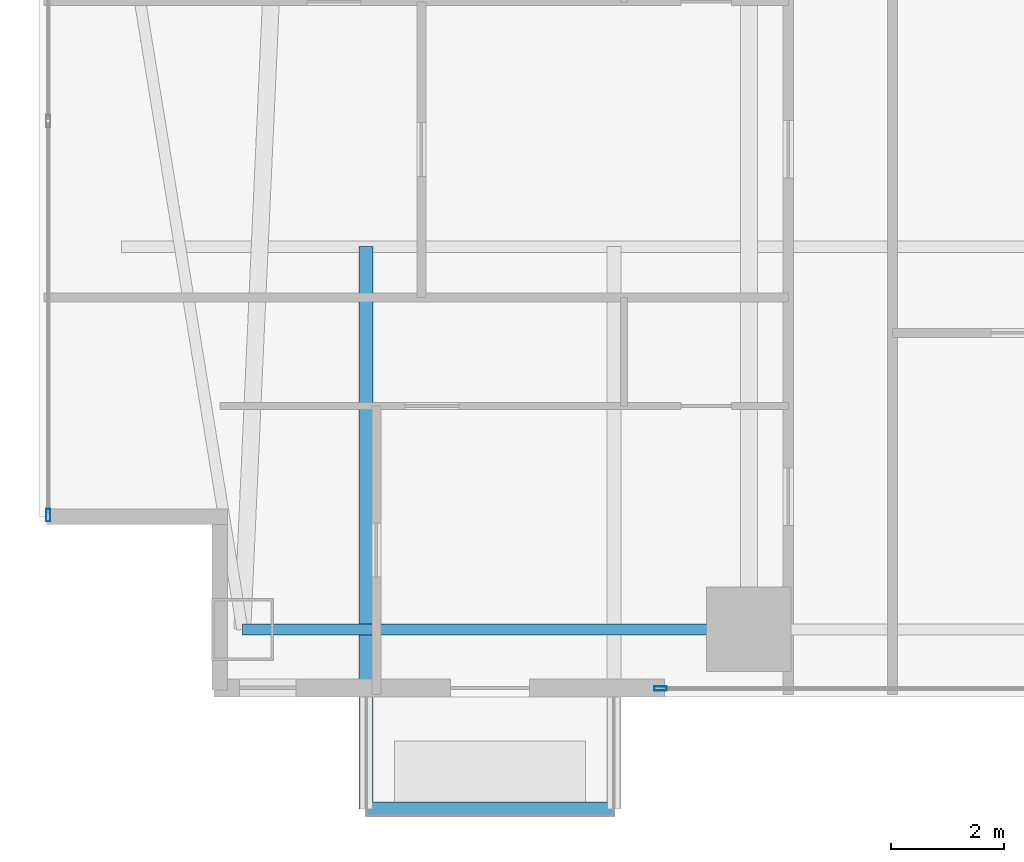
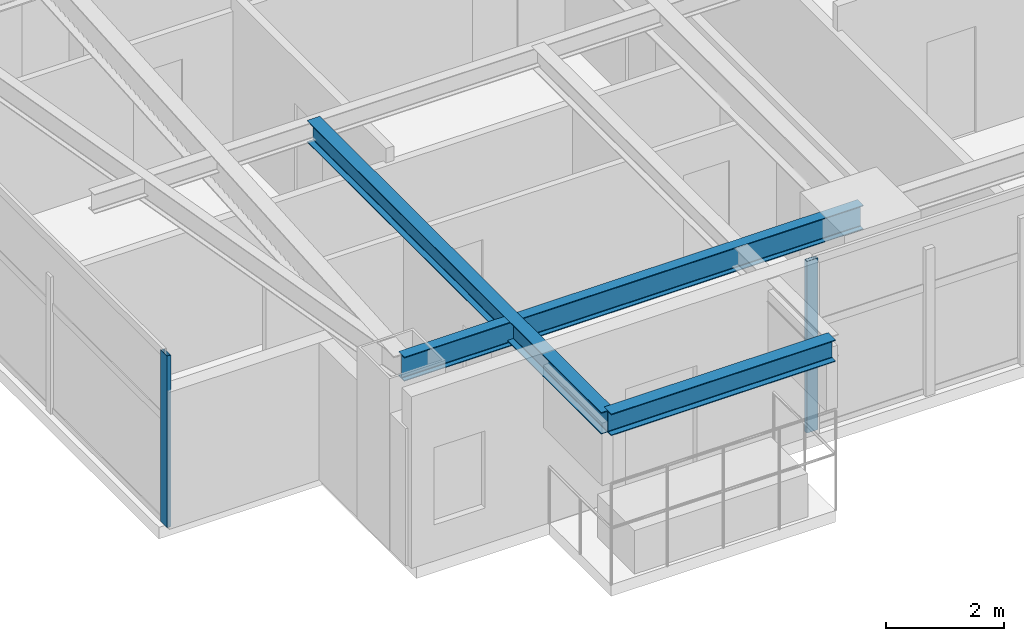
# One storey, part 2 of 29: 3 beams, 2 members, 2 elements without a shape of their own.
"""IFC4 building model written with IfcOpenShell, lengths in metres."""

from ifc_helpers import new_model, si_unit, direction, frame, origin, origin_2d, place, context, subcontext, project, spatial, hollow_rectangle, i_section, extrude, material, layer, layer_set, material_profile, profile_set, type_object, element, aggregate, save


model = new_model("IFC4")

# Units and contexts
model_context = context("Model", 3, precision=1e-05, world=origin(), true_north=direction((0.0, 1.0)))
body_context = subcontext(model_context, "Body", "Model", "MODEL_VIEW")
ifc_project = project(units=[si_unit("LENGTHUNIT", "METRE"), si_unit("AREAUNIT", "SQUARE_METRE"), si_unit("VOLUMEUNIT", "CUBIC_METRE"), si_unit("PLANEANGLEUNIT", "RADIAN"), si_unit("MASSUNIT", "GRAM", prefix="KILO")], contexts=[model_context])

# Site, building, storey
site_placement = place(None, origin())
site = spatial("IfcSite", under=ifc_project, at=site_placement, CompositionType="ELEMENT")
building_placement = place(site_placement, origin())
building = spatial("IfcBuilding", under=site, at=building_placement, Name="Calvorn Quay Hotel", CompositionType="ELEMENT")
storey_placement = place(building_placement, frame((0.0, 0.0, 34.60009765625)))
storey = spatial("IfcBuildingStorey", under=building, at=storey_placement, Name="L07", CompositionType="ELEMENT", Elevation=34.60009765625)

# Beams
ifc_material_1 = material(Name="Steel Q355B", Category="steel")
ifc_material_profile_1 = material_profile(ifc_material_1, i_section(OverallWidth=0.25, OverallDepth=0.449951171875, WebThickness=0.011962890625, FlangeThickness=0.01611328125, FilletRadius=0.01611328125, at=origin_2d()), Name="HN450x250x12x16")
ifc_profile_set_1 = profile_set([ifc_material_profile_1], Name="Steel Q355B")
beam_type_1 = type_object("IfcBeamType", Name="BM-CANT-BALC", PredefinedType="BEAM", material=ifc_profile_set_1)
beam_1_placement = place(storey_placement, frame((5.800048828125, 10.39990234375, 3.31494140625), z_axis=(0.0, -1.0, 0.0), x_axis=(1.0, 0.0, 0.0)))
element("IfcBeam", 1, at=beam_1_placement, inside=storey, type_object=beam_type_1, Name="Cantilever Balcony Beam BCB-L08-2A", PredefinedType="BEAM", context=body_context, shape_type="SweptSolid", body=[
    extrude(i_section(OverallWidth=0.25, OverallDepth=0.449951171875, WebThickness=0.011962890625, FlangeThickness=0.01611328125, FilletRadius=0.01611328125, at=origin_2d()), origin(), (0.0, 0.0, 1.0), 9.989990234375),
])
beam_2_placement = place(storey_placement, frame((5.800048828125, 0.409912109375, 3.31494140625), z_axis=(1.0, 0.0, 0.0), x_axis=(0.0, 1.0, 0.0)))
element("IfcBeam", 2, at=beam_2_placement, inside=storey, type_object=beam_type_1, Name="Beam BCBO-L08-2", PredefinedType="BEAM", context=body_context, shape_type="SweptSolid", body=[
    extrude(i_section(OverallWidth=0.25, OverallDepth=0.449951171875, WebThickness=0.011962890625, FlangeThickness=0.01611328125, FilletRadius=0.01611328125, at=origin_2d()), origin(), (0.0, 0.0, 1.0), 4.39990234375),
])
ifc_material_2 = material(Name="Steel Q355B", Category="steel")
ifc_material_profile_2 = material_profile(ifc_material_2, i_section(OverallWidth=0.199951171875, OverallDepth=0.5, WebThickness=0.010009765625, FlangeThickness=0.01611328125, FilletRadius=0.01611328125, at=origin_2d()), Name="HN500x200x10x16")
ifc_profile_set_2 = profile_set([ifc_material_profile_2], Name="Steel Q355B")
beam_type_2 = type_object("IfcBeamType", Name="BM-SPANDREL-Z1", PredefinedType="SPANDREL", material=ifc_profile_set_2)
beam_3_placement = place(storey_placement, frame((3.60009765625, 3.60009765625, 3.289794921875), z_axis=(1.0, 0.0, 0.0), x_axis=(0.0, 1.0, 0.0)))
element("IfcBeam", 3, at=beam_3_placement, inside=storey, type_object=beam_type_2, Name="Beam BSP-L07-S1", PredefinedType="SPANDREL", context=body_context, shape_type="SweptSolid", body=[
    extrude(i_section(OverallWidth=0.199951171875, OverallDepth=0.5, WebThickness=0.010009765625, FlangeThickness=0.01611328125, FilletRadius=0.01611328125, at=origin_2d()), origin(), (0.0, 0.0, 1.0), 9.0),
])

# Curtain wall, member
ifc_material_3 = material(Name="Pale Anodised Aluminium and Low-E Glass", Category="aluminium")
ifc_layer = layer(ifc_material_3, 0.219970703125)
ifc_layer_set = layer_set([ifc_layer], Name="CW-SYS-Z1")
curtain_wall_type = type_object("IfcCurtainWallType", Name="CW-SYS-Z1", PredefinedType="NOTDEFINED", material=ifc_layer_set)
curtain_wall_1_placement = place(storey_placement, origin())
curtain_wall_1 = element("IfcCurtainWall", 4, at=curtain_wall_1_placement, inside=storey, type_object=curtain_wall_type, Name="Tower West Curtain Wall (L07)", PredefinedType="NOTDEFINED")
ifc_material_4 = material(Name="Pale Anodised Aluminium 6063-T6", Category="aluminium")
ifc_material_profile_3 = material_profile(ifc_material_4, hollow_rectangle(XDim=0.074951171875, YDim=0.219970703125, WallThickness=0.00439453125, at=origin_2d()), Name="ALU-M220x75x4.5")
ifc_profile_set_3 = profile_set([ifc_material_profile_3], Name="Pale Anodised Aluminium 6063-T6")
member_type = type_object("IfcMemberType", Name="CW-SYS-Z1-MUL", PredefinedType="MULLION", material=ifc_profile_set_3)
member_1_placement = place(storey_placement, frame((0.14990234375, 5.6298828125, 0.0), z_axis=(0.0, 0.0, 1.0), x_axis=(-1.0, 0.0, 0.0)))
member_1 = element("IfcMember", 5, at=member_1_placement, type_object=member_type, Name="CW-L07-W mullion 1", PredefinedType="MULLION", context=body_context, shape_type="SweptSolid", body=[
    extrude(hollow_rectangle(XDim=0.074951171875, YDim=0.219970703125, WallThickness=0.00439453125, at=origin_2d()), origin(), (0.0, 0.0, 1.0), 3.559814453125),
])
aggregate(curtain_wall_1, [member_1])

curtain_wall_2_placement = place(storey_placement, origin())
curtain_wall_2 = element("IfcCurtainWall", 6, at=curtain_wall_2_placement, inside=storey, type_object=curtain_wall_type, Name="Tower South Waterfront Curtain Wall (L07)", PredefinedType="NOTDEFINED")
member_2_placement = place(storey_placement, frame((11.030029296875, 2.550048828125, 0.0), z_axis=(0.0, 0.0, 1.0), x_axis=(0.0, 1.0, 0.0)))
member_2 = element("IfcMember", 7, at=member_2_placement, type_object=member_type, Name="CW-L07-S mullion 1", PredefinedType="MULLION", context=body_context, shape_type="SweptSolid", body=[
    extrude(hollow_rectangle(XDim=0.074951171875, YDim=0.219970703125, WallThickness=0.00439453125, at=origin_2d()), origin(), (0.0, 0.0, 1.0), 3.559814453125),
])
aggregate(curtain_wall_2, [member_2])

save(model, "model.ifc")
